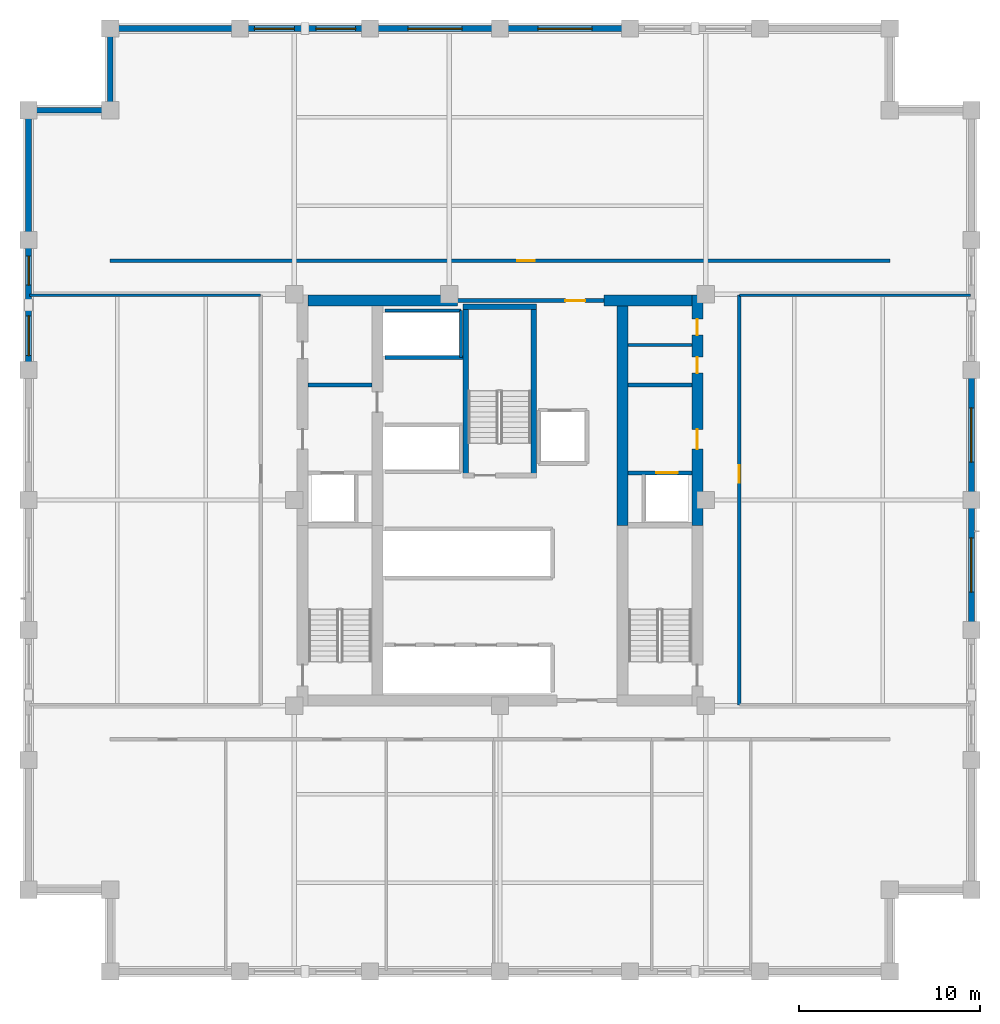
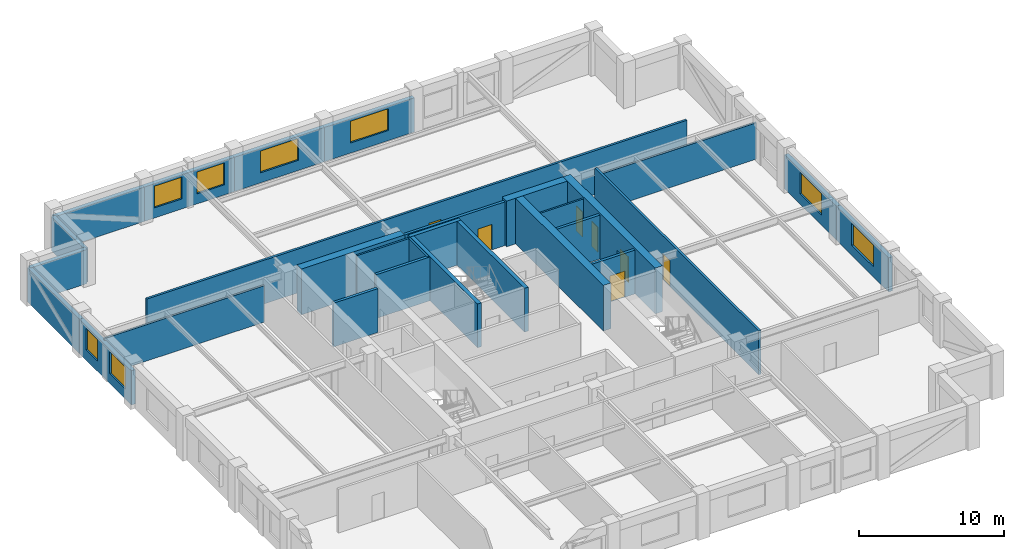
# One storey, part 7 of 9: 29 walls, 8 windows, 7 doors, 15 openings.
"""IFC4 building model written with IfcOpenShell, lengths in metres."""

from ifc_helpers import new_model, si_unit, direction, frame, frame_2d, origin, place, context, subcontext, project, spatial, rectangle, extrude, material, layer, layer_set, type_object, element, fill, save


model = new_model("IFC4")

# Units and contexts
model_context = context("Model", 3, precision=1e-05, world=origin(), true_north=direction((0.0, 1.0)))
body_context = subcontext(model_context, "Body", "Model", "MODEL_VIEW")
ifc_project = project(units=[si_unit("LENGTHUNIT", "METRE"), si_unit("AREAUNIT", "SQUARE_METRE"), si_unit("VOLUMEUNIT", "CUBIC_METRE"), si_unit("PLANEANGLEUNIT", "RADIAN"), si_unit("MASSUNIT", "GRAM", prefix="KILO")], contexts=[model_context])

# Site, building, storey
site_placement = place(None, origin())
site = spatial("IfcSite", under=ifc_project, at=site_placement, CompositionType="ELEMENT")
building_placement = place(site_placement, origin())
building = spatial("IfcBuilding", under=site, at=building_placement, Name="Nhamokura Convention Tower", CompositionType="ELEMENT")
storey_placement = place(building_placement, frame((0.0, 0.0, 156.800048828125)))
storey = spatial("IfcBuildingStorey", under=building, at=storey_placement, Name="L38", CompositionType="ELEMENT", Elevation=156.800048828125)

# Walls
ifc_material_1 = material(Name="Moisture-resistant tile-backer partition", Category="masonry")
ifc_layer_1 = layer(ifc_material_1, 0.139892578125)
ifc_layer_set_1 = layer_set([ifc_layer_1], Name="BathroomWetWall_140")
wall_type_1 = type_object("IfcWallType", Name="BathroomWetWall_140", PredefinedType="STANDARD", material=ifc_layer_set_1)
wall_1_placement = place(storey_placement, frame((39.06005859375, 40.550048828125, 0.0), z_axis=(0.0, 0.0, 1.0), x_axis=(1.0, 0.0, 0.0)))
element("IfcWall", 1, at=wall_1_placement, inside=storey, type_object=wall_type_1, Name="L38 Wall INT-L38-CWNE", PredefinedType="STANDARD", context=body_context, shape_type="SweptSolid", body=[
    extrude(rectangle(XDim=3.530029296875, YDim=0.139892578125, at=frame_2d((1.76513671875, 0.0))), origin(), (0.0, 0.0, 1.0), 3.68505859375),
])
ifc_material_2 = material(Name="Bronze-pigmented precast concrete C45/55", Category="concrete")
ifc_layer_2 = layer(ifc_material_2, 0.320068359375)
ifc_layer_set_2 = layer_set([ifc_layer_2], Name="BronzePrecastSpandrel_320")
wall_type_2 = type_object("IfcWallType", Name="BronzePrecastSpandrel_320", PredefinedType="USERDEFINED", material=ifc_layer_set_2)
wall_2_placement = place(storey_placement, frame((10.5, 58.0, 0.0), z_axis=(0.0, 0.0, 1.0), x_axis=(1.0, 0.0, 0.0)))
element("IfcWall", 2, at=wall_2_placement, inside=storey, type_object=wall_type_2, Name="L38 Braced-Bay Precast Wall NORTH 0", ObjectType="SPANDREL_WALL", PredefinedType="USERDEFINED", context=body_context, shape_type="SweptSolid", body=[
    extrude(rectangle(XDim=7.166748046875, YDim=0.320068359375, at=frame_2d((3.58349609375, 0.0))), origin(), (0.0, 0.0, 1.0), 2.885009765625),
])

# Wall, openings, windows
wall_3_placement = place(storey_placement, frame((17.666748046875, 58.0, 0.0), z_axis=(0.0, 0.0, 1.0), x_axis=(1.0, 0.0, 0.0)))
wall_3 = element("IfcWall", 3, at=wall_3_placement, inside=storey, type_object=wall_type_2, Name="L38 Masonry-Frame Wall NORTH 1", ObjectType="SPANDREL_WALL", PredefinedType="USERDEFINED", context=body_context, shape_type="SweptSolid", body=[
    extrude(rectangle(XDim=7.16650390625, YDim=0.320068359375, at=frame_2d((3.583251953125, 0.0))), origin(), (0.0, 0.0, 1.0), 2.885009765625),
])
opening_1_placement = place(wall_3_placement, frame((0.791748046875, 0.0, 0.85009765625)))
opening_1 = element("IfcOpeningElement", 4, at=opening_1_placement, cuts=wall_3, Name="Opening W-06", PredefinedType="OPENING", context=body_context, shape_type="SweptSolid", body=[
    extrude(rectangle(XDim=2.199951171875, YDim=1.8349609375, at=frame_2d((1.10009765625, 0.91748046875))), frame((0.0, 0.169921875, 0.0), z_axis=(0.0, -1.0, 0.0), x_axis=(1.0, 0.0, 0.0)), (0.0, 0.0, 1.0), 0.340087890625),
])
opening_2_placement = place(wall_3_placement, frame((4.175048828125, 0.0, 0.85009765625)))
opening_2 = element("IfcOpeningElement", 5, at=opening_2_placement, cuts=wall_3, Name="Opening W-06", PredefinedType="OPENING", context=body_context, shape_type="SweptSolid", body=[
    extrude(rectangle(XDim=2.199951171875, YDim=1.8349609375, at=frame_2d((1.10009765625, 0.91748046875))), frame((0.0, 0.169921875, 0.0), z_axis=(0.0, -1.0, 0.0), x_axis=(1.0, 0.0, 0.0)), (0.0, 0.0, 1.0), 0.340087890625),
])
ifc_material_3 = material(Name="Solar-control bronze low-E double glass", Category="glass")
window_type_1 = type_object("IfcWindowType", Name="OfficeModuleWindow_Z2_2200", PartitioningType="SINGLE_PANEL", PredefinedType="WINDOW", material=ifc_material_3)
window_1_placement = place(opening_1_placement, origin())
window_1 = element("IfcWindow", 6, at=window_1_placement, inside=storey, type_object=window_type_1, Name="L38 Facade Window NORTH 1-1", OverallHeight=1.8349609375, OverallWidth=2.199951171875, PartitioningType="SINGLE_PANEL", PredefinedType="WINDOW", context=body_context, shape_type="SweptSolid", body=[
    extrude(rectangle(XDim=2.199951171875, YDim=1.8349609375, at=frame_2d((1.10009765625, 0.91748046875))), frame((0.0, 0.030029296875, 0.0), z_axis=(0.0, -1.0, 0.0), x_axis=(1.0, 0.0, 0.0)), (0.0, 0.0, 1.0), 0.06005859375),
])
fill(opening_1, window_1)
window_2_placement = place(opening_2_placement, origin())
window_2 = element("IfcWindow", 7, at=window_2_placement, inside=storey, type_object=window_type_1, Name="L38 Facade Window NORTH 1-2", OverallHeight=1.8349609375, OverallWidth=2.199951171875, PartitioningType="SINGLE_PANEL", PredefinedType="WINDOW", context=body_context, shape_type="SweptSolid", body=[
    extrude(rectangle(XDim=2.199951171875, YDim=1.8349609375, at=frame_2d((1.10009765625, 0.91748046875))), frame((0.0, 0.030029296875, 0.0), z_axis=(0.0, -1.0, 0.0), x_axis=(1.0, 0.0, 0.0)), (0.0, 0.0, 1.0), 0.06005859375),
])
fill(opening_2, window_2)

# Wall, opening, window
wall_4_placement = place(storey_placement, frame((24.833251953125, 58.0, 0.0), z_axis=(0.0, 0.0, 1.0), x_axis=(1.0, 0.0, 0.0)))
wall_4 = element("IfcWall", 8, at=wall_4_placement, inside=storey, type_object=wall_type_2, Name="L38 Masonry-Frame Wall NORTH 2", ObjectType="SPANDREL_WALL", PredefinedType="USERDEFINED", context=body_context, shape_type="SweptSolid", body=[
    extrude(rectangle(XDim=7.166748046875, YDim=0.320068359375, at=frame_2d((3.58349609375, 0.0))), origin(), (0.0, 0.0, 1.0), 2.885009765625),
])
opening_3_placement = place(wall_4_placement, frame((2.083251953125, 0.0, 0.85009765625)))
opening_3 = element("IfcOpeningElement", 9, at=opening_3_placement, cuts=wall_4, Name="Opening W-05", PredefinedType="OPENING", context=body_context, shape_type="SweptSolid", body=[
    extrude(rectangle(XDim=3.0, YDim=1.8349609375, at=frame_2d((1.5, 0.91748046875))), frame((0.0, 0.169921875, 0.0), z_axis=(0.0, -1.0, 0.0), x_axis=(1.0, 0.0, 0.0)), (0.0, 0.0, 1.0), 0.340087890625),
])
ifc_material_4 = material(Name="Solar-control bronze low-E double glass", Category="glass")
window_type_2 = type_object("IfcWindowType", Name="OfficeModuleWindow_Z2_3000", PartitioningType="DOUBLE_PANEL_VERTICAL", PredefinedType="WINDOW", material=ifc_material_4)
window_3_placement = place(opening_3_placement, origin())
window_3 = element("IfcWindow", 10, at=window_3_placement, inside=storey, type_object=window_type_2, Name="L38 Facade Window NORTH 2", OverallHeight=1.8349609375, OverallWidth=3.0, PartitioningType="SINGLE_PANEL", PredefinedType="WINDOW", context=body_context, shape_type="SweptSolid", body=[
    extrude(rectangle(XDim=3.0, YDim=1.8349609375, at=frame_2d((1.5, 0.91748046875))), frame((0.0, 0.030029296875, 0.0), z_axis=(0.0, -1.0, 0.0), x_axis=(1.0, 0.0, 0.0)), (0.0, 0.0, 1.0), 0.06005859375),
])
fill(opening_3, window_3)

wall_5_placement = place(storey_placement, frame((32.0, 58.0, 0.0), z_axis=(0.0, 0.0, 1.0), x_axis=(1.0, 0.0, 0.0)))
wall_5 = element("IfcWall", 11, at=wall_5_placement, inside=storey, type_object=wall_type_2, Name="L38 Masonry-Frame Wall NORTH 3", ObjectType="SPANDREL_WALL", PredefinedType="USERDEFINED", context=body_context, shape_type="SweptSolid", body=[
    extrude(rectangle(XDim=7.166748046875, YDim=0.320068359375, at=frame_2d((3.58349609375, 0.0))), origin(), (0.0, 0.0, 1.0), 2.885009765625),
])
opening_4_placement = place(wall_5_placement, frame((2.083251953125, 0.0, 0.85009765625)))
opening_4 = element("IfcOpeningElement", 12, at=opening_4_placement, cuts=wall_5, Name="Opening W-05", PredefinedType="OPENING", context=body_context, shape_type="SweptSolid", body=[
    extrude(rectangle(XDim=3.0, YDim=1.8349609375, at=frame_2d((1.5, 0.91748046875))), frame((0.0, 0.169921875, 0.0), z_axis=(0.0, -1.0, 0.0), x_axis=(1.0, 0.0, 0.0)), (0.0, 0.0, 1.0), 0.340087890625),
])
window_4_placement = place(opening_4_placement, origin())
window_4 = element("IfcWindow", 13, at=window_4_placement, inside=storey, type_object=window_type_2, Name="L38 Facade Window NORTH 3", OverallHeight=1.8349609375, OverallWidth=3.0, PartitioningType="SINGLE_PANEL", PredefinedType="WINDOW", context=body_context, shape_type="SweptSolid", body=[
    extrude(rectangle(XDim=3.0, YDim=1.8349609375, at=frame_2d((1.5, 0.91748046875))), frame((0.0, 0.030029296875, 0.0), z_axis=(0.0, -1.0, 0.0), x_axis=(1.0, 0.0, 0.0)), (0.0, 0.0, 1.0), 0.06005859375),
])
fill(opening_4, window_4)

# Wall, openings, windows
wall_6_placement = place(storey_placement, frame((6.0, 39.166748046875, 0.0), z_axis=(0.0, 0.0, 1.0), x_axis=(0.0, 1.0, 0.0)))
wall_6 = element("IfcWall", 14, at=wall_6_placement, inside=storey, type_object=wall_type_2, Name="L38 Masonry-Frame Wall WEST 4", ObjectType="SPANDREL_WALL", PredefinedType="USERDEFINED", context=body_context, shape_type="SweptSolid", body=[
    extrude(rectangle(XDim=7.16650390625, YDim=0.320068359375, at=frame_2d((3.583251953125, 0.0))), origin(), (0.0, 0.0, 1.0), 2.885009765625),
])
opening_5_placement = place(wall_6_placement, frame((0.791748046875, 0.0, 0.85009765625)))
opening_5 = element("IfcOpeningElement", 15, at=opening_5_placement, cuts=wall_6, Name="Opening W-06", PredefinedType="OPENING", context=body_context, shape_type="SweptSolid", body=[
    extrude(rectangle(XDim=2.199951171875, YDim=1.8349609375, at=frame_2d((1.10009765625, 0.91748046875))), frame((0.0, 0.169921875, 0.0), z_axis=(0.0, -1.0, 0.0), x_axis=(1.0, 0.0, 0.0)), (0.0, 0.0, 1.0), 0.340087890625),
])
opening_6_placement = place(wall_6_placement, frame((4.6875, 0.0, 0.85009765625)))
opening_6 = element("IfcOpeningElement", 16, at=opening_6_placement, cuts=wall_6, Name="Opening W-11", PredefinedType="OPENING", context=body_context, shape_type="SweptSolid", body=[
    extrude(rectangle(XDim=1.60009765625, YDim=1.8349609375, at=frame_2d((0.800048828125, 0.91748046875))), frame((0.0, 0.169921875, 0.0), z_axis=(0.0, -1.0, 0.0), x_axis=(1.0, 0.0, 0.0)), (0.0, 0.0, 1.0), 0.340087890625),
])
ifc_material_5 = material(Name="Solar-control bronze low-E double glass", Category="glass")
window_type_3 = type_object("IfcWindowType", Name="NotchCornerWindow_1600", PartitioningType="SINGLE_PANEL", PredefinedType="WINDOW", material=ifc_material_5)
window_5_placement = place(opening_6_placement, origin())
window_5 = element("IfcWindow", 17, at=window_5_placement, inside=storey, type_object=window_type_3, Name="L38 Facade Window WEST 4-2", OverallHeight=1.8349609375, OverallWidth=1.60009765625, PartitioningType="SINGLE_PANEL", PredefinedType="WINDOW", context=body_context, shape_type="SweptSolid", body=[
    extrude(rectangle(XDim=1.60009765625, YDim=1.8349609375, at=frame_2d((0.800048828125, 0.91748046875))), frame((0.0, 0.030029296875, 0.0), z_axis=(0.0, -1.0, 0.0), x_axis=(1.0, 0.0, 0.0)), (0.0, 0.0, 1.0), 0.06005859375),
])
fill(opening_6, window_5)
window_6_placement = place(opening_5_placement, origin())
window_6 = element("IfcWindow", 18, at=window_6_placement, inside=storey, type_object=window_type_1, Name="L38 Facade Window WEST 4-1", OverallHeight=1.8349609375, OverallWidth=2.199951171875, PartitioningType="SINGLE_PANEL", PredefinedType="WINDOW", context=body_context, shape_type="SweptSolid", body=[
    extrude(rectangle(XDim=2.199951171875, YDim=1.8349609375, at=frame_2d((1.10009765625, 0.91748046875))), frame((0.0, 0.030029296875, 0.0), z_axis=(0.0, -1.0, 0.0), x_axis=(1.0, 0.0, 0.0)), (0.0, 0.0, 1.0), 0.06005859375),
])
fill(opening_5, window_6)

# Wall
wall_7_placement = place(storey_placement, frame((6.0, 46.333251953125, 0.0), z_axis=(0.0, 0.0, 1.0), x_axis=(0.0, 1.0, 0.0)))
element("IfcWall", 19, at=wall_7_placement, inside=storey, type_object=wall_type_2, Name="L38 Braced-Bay Precast Wall WEST 5", ObjectType="SPANDREL_WALL", PredefinedType="USERDEFINED", context=body_context, shape_type="SweptSolid", body=[
    extrude(rectangle(XDim=7.166748046875, YDim=0.320068359375, at=frame_2d((3.58349609375, 0.0))), origin(), (0.0, 0.0, 1.0), 2.885009765625),
])

# Wall, opening, window
wall_8_placement = place(storey_placement, frame((58.0, 32.0, 0.0), z_axis=(0.0, 0.0, 1.0), x_axis=(0.0, -1.0, 0.0)))
wall_8 = element("IfcWall", 20, at=wall_8_placement, inside=storey, type_object=wall_type_2, Name="L38 Masonry-Frame Wall EAST 2", ObjectType="SPANDREL_WALL", PredefinedType="USERDEFINED", context=body_context, shape_type="SweptSolid", body=[
    extrude(rectangle(XDim=7.166748046875, YDim=0.320068359375, at=frame_2d((3.58349609375, 0.0))), origin(), (0.0, 0.0, 1.0), 2.885009765625),
])
opening_7_placement = place(wall_8_placement, frame((2.083251953125, 0.0, 0.85009765625)))
opening_7 = element("IfcOpeningElement", 21, at=opening_7_placement, cuts=wall_8, Name="Opening W-05", PredefinedType="OPENING", context=body_context, shape_type="SweptSolid", body=[
    extrude(rectangle(XDim=3.0, YDim=1.8349609375, at=frame_2d((1.5, 0.91748046875))), frame((0.0, 0.169921875, 0.0), z_axis=(0.0, -1.0, 0.0), x_axis=(1.0, 0.0, 0.0)), (0.0, 0.0, 1.0), 0.340087890625),
])
window_7_placement = place(opening_7_placement, origin())
window_7 = element("IfcWindow", 22, at=window_7_placement, inside=storey, type_object=window_type_2, Name="L38 Facade Window EAST 2", OverallHeight=1.8349609375, OverallWidth=3.0, PartitioningType="SINGLE_PANEL", PredefinedType="WINDOW", context=body_context, shape_type="SweptSolid", body=[
    extrude(rectangle(XDim=3.0, YDim=1.8349609375, at=frame_2d((1.5, 0.91748046875))), frame((0.0, 0.030029296875, 0.0), z_axis=(0.0, -1.0, 0.0), x_axis=(1.0, 0.0, 0.0)), (0.0, 0.0, 1.0), 0.06005859375),
])
fill(opening_7, window_7)

wall_9_placement = place(storey_placement, frame((58.0, 39.166748046875, 0.0), z_axis=(0.0, 0.0, 1.0), x_axis=(0.0, -1.0, 0.0)))
wall_9 = element("IfcWall", 23, at=wall_9_placement, inside=storey, type_object=wall_type_2, Name="L38 Masonry-Frame Wall EAST 3", ObjectType="SPANDREL_WALL", PredefinedType="USERDEFINED", context=body_context, shape_type="SweptSolid", body=[
    extrude(rectangle(XDim=7.166748046875, YDim=0.320068359375, at=frame_2d((3.58349609375, 0.0))), origin(), (0.0, 0.0, 1.0), 2.885009765625),
])
opening_8_placement = place(wall_9_placement, frame((2.083251953125, 0.0, 0.85009765625)))
opening_8 = element("IfcOpeningElement", 24, at=opening_8_placement, cuts=wall_9, Name="Opening W-05", PredefinedType="OPENING", context=body_context, shape_type="SweptSolid", body=[
    extrude(rectangle(XDim=3.0, YDim=1.8349609375, at=frame_2d((1.5, 0.91748046875))), frame((0.0, 0.169921875, 0.0), z_axis=(0.0, -1.0, 0.0), x_axis=(1.0, 0.0, 0.0)), (0.0, 0.0, 1.0), 0.340087890625),
])
window_8_placement = place(opening_8_placement, origin())
window_8 = element("IfcWindow", 25, at=window_8_placement, inside=storey, type_object=window_type_2, Name="L38 Facade Window EAST 3", OverallHeight=1.8349609375, OverallWidth=3.0, PartitioningType="SINGLE_PANEL", PredefinedType="WINDOW", context=body_context, shape_type="SweptSolid", body=[
    extrude(rectangle(XDim=3.0, YDim=1.8349609375, at=frame_2d((1.5, 0.91748046875))), frame((0.0, 0.030029296875, 0.0), z_axis=(0.0, -1.0, 0.0), x_axis=(1.0, 0.0, 0.0)), (0.0, 0.0, 1.0), 0.06005859375),
])
fill(opening_8, window_8)

# Walls
for number, where, z_axis, x_axis, name in (
    (26, (10.5, 53.5, 0.0), (0.0, 0.0, 1.0), (0.0, 1.0, 0.0), "L38 Notched Corner Wall NW1"),
    (27, (6.0, 53.5, 0.0), (0.0, 0.0, 1.0), (1.0, 0.0, 0.0), "L38 Notched Corner Wall NW2"),
):
    element("IfcWall", number, at=place(storey_placement, frame(where, z_axis=z_axis, x_axis=x_axis)), inside=storey, type_object=wall_type_2, Name=name, ObjectType="SPANDREL_WALL", PredefinedType="USERDEFINED", context=body_context, shape_type="SweptSolid", body=[
        extrude(rectangle(XDim=4.5, YDim=0.320068359375, at=frame_2d((2.25, 0.0))), origin(), (0.0, 0.0, 1.0), 2.885009765625),
    ])

# Wall, openings, doors
ifc_material_6 = material(Name="Concrete C60/75", Category="concrete")
ifc_layer_3 = layer(ifc_material_6, 0.60009765625)
ifc_layer_set_3 = layer_set([ifc_layer_3], Name="CoreShearWall_600")
wall_type_3 = type_object("IfcWallType", Name="CoreShearWall_600", PredefinedType="SHEAR", material=ifc_layer_set_3)
wall_10_placement = place(storey_placement, frame((42.889892578125, 30.60009765625, 0.0), z_axis=(0.0, 0.0, 1.0), x_axis=(0.0, 1.0, 0.0)))
wall_10 = element("IfcWall", 28, at=wall_10_placement, inside=storey, type_object=wall_type_3, Name="L38 Core Shear Wall CW-EN", PredefinedType="SHEAR", context=body_context, shape_type="SweptSolid", body=[
    extrude(rectangle(XDim=12.699951171875, YDim=0.60009765625, at=frame_2d((6.35009765625, 0.0))), origin(), (0.0, 0.0, 1.0), 3.849853515625),
])
opening_9_placement = place(wall_10_placement, frame((4.199951171875, 0.0, 0.0)))
opening_9 = element("IfcOpeningElement", 29, at=opening_9_placement, cuts=wall_10, Name="Opening D-05", PredefinedType="OPENING", context=body_context, shape_type="SweptSolid", body=[
    extrude(rectangle(XDim=1.10009765625, YDim=2.14990234375, at=frame_2d((0.550048828125, 1.074951171875))), frame((0.0, 0.31005859375, 0.0), z_axis=(0.0, -1.0, 0.0), x_axis=(1.0, 0.0, 0.0)), (0.0, 0.0, 1.0), 0.6201171875),
])
opening_10_placement = place(wall_10_placement, frame((8.39990234375, 0.0, 0.0)))
opening_10 = element("IfcOpeningElement", 30, at=opening_10_placement, cuts=wall_10, Name="Opening D-11", PredefinedType="OPENING", context=body_context, shape_type="SweptSolid", body=[
    extrude(rectangle(XDim=0.8798828125, YDim=2.10009765625, at=frame_2d((0.43994140625, 1.050048828125))), frame((0.0, 0.31005859375, 0.0), z_axis=(0.0, -1.0, 0.0), x_axis=(1.0, 0.0, 0.0)), (0.0, 0.0, 1.0), 0.6201171875),
])
opening_11_placement = place(wall_10_placement, frame((10.5, 0.0, 0.0)))
opening_11 = element("IfcOpeningElement", 31, at=opening_11_placement, cuts=wall_10, Name="Opening D-11", PredefinedType="OPENING", context=body_context, shape_type="SweptSolid", body=[
    extrude(rectangle(XDim=0.8798828125, YDim=2.10009765625, at=frame_2d((0.43994140625, 1.050048828125))), frame((0.0, 0.31005859375, 0.0), z_axis=(0.0, -1.0, 0.0), x_axis=(1.0, 0.0, 0.0)), (0.0, 0.0, 1.0), 0.6201171875),
])
ifc_material_7 = material(Name="Solid oak hardwood", Category="wood")
door_type_1 = type_object("IfcDoorType", Name="BathroomDoor_880", OperationType="NOTDEFINED", PredefinedType="DOOR", material=ifc_material_7)
door_1_placement = place(opening_10_placement, origin())
door_1 = element("IfcDoor", 32, at=door_1_placement, inside=storey, type_object=door_type_1, Name="L38 Core Door INT-L38-D-MWC", OperationType="SINGLE_SWING_RIGHT", OverallHeight=2.10009765625, OverallWidth=0.8798828125, PredefinedType="DOOR", context=body_context, shape_type="SweptSolid", body=[
    extrude(rectangle(XDim=0.8798828125, YDim=2.10009765625, at=frame_2d((0.43994140625, 1.050048828125))), frame((0.0, 0.02490234375, 0.0), z_axis=(0.0, -1.0, 0.0), x_axis=(1.0, 0.0, 0.0)), (0.0, 0.0, 1.0), 0.050048828125),
])
fill(opening_10, door_1)
door_2_placement = place(opening_11_placement, origin())
door_2 = element("IfcDoor", 33, at=door_2_placement, inside=storey, type_object=door_type_1, Name="L38 Core Door INT-L38-D-FWC", OperationType="SINGLE_SWING_LEFT", OverallHeight=2.10009765625, OverallWidth=0.8798828125, PredefinedType="DOOR", context=body_context, shape_type="SweptSolid", body=[
    extrude(rectangle(XDim=0.8798828125, YDim=2.10009765625, at=frame_2d((0.43994140625, 1.050048828125))), frame((0.0, 0.02490234375, 0.0), z_axis=(0.0, -1.0, 0.0), x_axis=(1.0, 0.0, 0.0)), (0.0, 0.0, 1.0), 0.050048828125),
])
fill(opening_11, door_2)
ifc_material_8 = material(Name="Fire-rated steel door", Category="steel")
door_type_2 = type_object("IfcDoorType", Name="FireLobbyDoor_1100", OperationType="NOTDEFINED", PredefinedType="DOOR", material=ifc_material_8)
door_3_placement = place(opening_9_placement, origin())
door_3 = element("IfcDoor", 34, at=door_3_placement, inside=storey, type_object=door_type_2, Name="L38 Core Door INT-L38-D-FFLE", OperationType="SINGLE_SWING_LEFT", OverallHeight=2.14990234375, OverallWidth=1.10009765625, PredefinedType="DOOR", context=body_context, shape_type="SweptSolid", body=[
    extrude(rectangle(XDim=1.10009765625, YDim=2.14990234375, at=frame_2d((0.550048828125, 1.074951171875))), frame((0.0, 0.02490234375, 0.0), z_axis=(0.0, -1.0, 0.0), x_axis=(1.0, 0.0, 0.0)), (0.0, 0.0, 1.0), 0.050048828125),
])
fill(opening_9, door_3)

# Walls
wall_11_placement = place(storey_placement, frame((21.409912109375, 43.0, 0.0), z_axis=(0.0, 0.0, 1.0), x_axis=(1.0, 0.0, 0.0)))
element("IfcWall", 35, at=wall_11_placement, inside=storey, type_object=wall_type_3, Name="L38 Core Shear Wall CW-N1", PredefinedType="SHEAR", context=body_context, shape_type="SweptSolid", body=[
    extrude(rectangle(XDim=8.239990234375, YDim=0.60009765625, at=frame_2d((4.1201171875, 0.0))), origin(), (0.0, 0.0, 1.0), 3.849853515625),
])
wall_12_placement = place(storey_placement, frame((37.75, 43.0, 0.0), z_axis=(0.0, 0.0, 1.0), x_axis=(1.0, 0.0, 0.0)))
element("IfcWall", 36, at=wall_12_placement, inside=storey, type_object=wall_type_3, Name="L38 Core Shear Wall CW-N2", PredefinedType="SHEAR", context=body_context, shape_type="SweptSolid", body=[
    extrude(rectangle(XDim=4.840087890625, YDim=0.60009765625, at=frame_2d((2.419921875, 0.0))), origin(), (0.0, 0.0, 1.0), 3.849853515625),
])
wall_13_placement = place(storey_placement, frame((38.760009765625, 30.60009765625, 0.0), z_axis=(0.0, 0.0, 1.0), x_axis=(0.0, 1.0, 0.0)))
element("IfcWall", 37, at=wall_13_placement, inside=storey, type_object=wall_type_3, Name="L38 Core Shear Wall CW-IEN", PredefinedType="SHEAR", context=body_context, shape_type="SweptSolid", body=[
    extrude(rectangle(XDim=12.099853515625, YDim=0.60009765625, at=frame_2d((6.0498046875, 0.0))), origin(), (0.0, 0.0, 1.0), 3.849853515625),
])

# Wall, opening, door
ifc_material_9 = material(Name="Fire-rated gypsum and masonry partition", Category="masonry")
ifc_layer_4 = layer(ifc_material_9, 0.179931640625)
ifc_layer_set_4 = layer_set([ifc_layer_4], Name="CorridorRatedWall_180")
wall_type_4 = type_object("IfcWallType", Name="CorridorRatedWall_180", PredefinedType="STANDARD", material=ifc_layer_set_4)
wall_14_placement = place(storey_placement, frame((10.5, 45.199951171875, 0.0), z_axis=(0.0, 0.0, 1.0), x_axis=(1.0, 0.0, 0.0)))
wall_14 = element("IfcWall", 38, at=wall_14_placement, inside=storey, type_object=wall_type_4, Name="L38 Wall INT-L38-CW-N00", PredefinedType="STANDARD", context=body_context, shape_type="SweptSolid", body=[
    extrude(rectangle(XDim=43.0, YDim=0.179931640625, at=frame_2d((21.5, 0.0))), origin(), (0.0, 0.0, 1.0), 3.68505859375),
])
opening_12_placement = place(wall_14_placement, frame((22.449951171875, 0.0, 0.0)))
opening_12 = element("IfcOpeningElement", 39, at=opening_12_placement, cuts=wall_14, Name="Opening D-08", PredefinedType="OPENING", context=body_context, shape_type="SweptSolid", body=[
    extrude(rectangle(XDim=0.97998046875, YDim=2.199951171875, at=frame_2d((0.489990234375, 1.10009765625))), frame((0.0, 0.099853515625, 0.0), z_axis=(0.0, -1.0, 0.0), x_axis=(1.0, 0.0, 0.0)), (0.0, 0.0, 1.0), 0.199951171875),
])
ifc_material_10 = material(Name="Solid oak hardwood", Category="wood")
door_type_3 = type_object("IfcDoorType", Name="OfficeEntryDoor_980", OperationType="NOTDEFINED", PredefinedType="DOOR", material=ifc_material_10)
door_4_placement = place(opening_12_placement, origin())
door_4 = element("IfcDoor", 40, at=door_4_placement, inside=storey, type_object=door_type_3, Name="L38 Press Briefing Hall N01 Door", OperationType="SINGLE_SWING_LEFT", OverallHeight=2.199951171875, OverallWidth=0.97998046875, PredefinedType="DOOR", context=body_context, shape_type="SweptSolid", body=[
    extrude(rectangle(XDim=0.97998046875, YDim=2.199951171875, at=frame_2d((0.489990234375, 1.10009765625))), frame((0.0, 0.02490234375, 0.0), z_axis=(0.0, -1.0, 0.0), x_axis=(1.0, 0.0, 0.0)), (0.0, 0.0, 1.0), 0.050048828125),
])
fill(opening_12, door_4)

wall_15_placement = place(storey_placement, frame((45.199951171875, 20.699951171875, 0.0), z_axis=(0.0, 0.0, 1.0), x_axis=(0.0, 1.0, 0.0)))
wall_15 = element("IfcWall", 41, at=wall_15_placement, inside=storey, type_object=wall_type_4, Name="L38 Wall INT-L38-CW-E00", PredefinedType="STANDARD", context=body_context, shape_type="SweptSolid", body=[
    extrude(rectangle(XDim=22.60009765625, YDim=0.179931640625, at=frame_2d((11.300048828125, 0.0))), origin(), (0.0, 0.0, 1.0), 3.68505859375),
])
opening_13_placement = place(wall_15_placement, frame((12.25, 0.0, 0.0)))
opening_13 = element("IfcOpeningElement", 42, at=opening_13_placement, cuts=wall_15, Name="Opening D-08", PredefinedType="OPENING", context=body_context, shape_type="SweptSolid", body=[
    extrude(rectangle(XDim=0.97998046875, YDim=2.199951171875, at=frame_2d((0.489990234375, 1.10009765625))), frame((0.0, 0.099853515625, 0.0), z_axis=(0.0, -1.0, 0.0), x_axis=(1.0, 0.0, 0.0)), (0.0, 0.0, 1.0), 0.199951171875),
])
door_5_placement = place(opening_13_placement, origin())
door_5 = element("IfcDoor", 43, at=door_5_placement, inside=storey, type_object=door_type_3, Name="L38 Meeting Room E01 Door", OperationType="SINGLE_SWING_LEFT", OverallHeight=2.199951171875, OverallWidth=0.97998046875, PredefinedType="DOOR", context=body_context, shape_type="SweptSolid", body=[
    extrude(rectangle(XDim=0.97998046875, YDim=2.199951171875, at=frame_2d((0.489990234375, 1.10009765625))), frame((0.0, 0.02490234375, 0.0), z_axis=(0.0, -1.0, 0.0), x_axis=(1.0, 0.0, 0.0)), (0.0, 0.0, 1.0), 0.050048828125),
])
fill(opening_13, door_5)

ifc_material_11 = material(Name="Autoclaved concrete blockwork", Category="masonry")
ifc_layer_5 = layer(ifc_material_11, 0.219970703125)
ifc_layer_set_5 = layer_set([ifc_layer_5], Name="FireLobbyWall_220")
wall_type_5 = type_object("IfcWallType", Name="FireLobbyWall_220", PredefinedType="STANDARD", material=ifc_layer_set_5)
wall_16_placement = place(storey_placement, frame((39.06005859375, 33.5, 0.0), z_axis=(0.0, 0.0, 1.0), x_axis=(1.0, 0.0, 0.0)))
wall_16 = element("IfcWall", 44, at=wall_16_placement, inside=storey, type_object=wall_type_5, Name="L38 Wall INT-L38-FFE-S", PredefinedType="STANDARD", context=body_context, shape_type="SweptSolid", body=[
    extrude(rectangle(XDim=3.530029296875, YDim=0.219970703125, at=frame_2d((1.76513671875, 0.0))), origin(), (0.0, 0.0, 1.0), 3.68505859375),
])
opening_14_placement = place(wall_16_placement, frame((1.550048828125, 0.0, 0.0)))
opening_14 = element("IfcOpeningElement", 45, at=opening_14_placement, cuts=wall_16, Name="Opening LD-02", PredefinedType="OPENING", context=body_context, shape_type="SweptSolid", body=[
    extrude(rectangle(XDim=1.199951171875, YDim=2.199951171875, at=frame_2d((0.60009765625, 1.10009765625))), frame((0.0, 0.119873046875, 0.0), z_axis=(0.0, -1.0, 0.0), x_axis=(1.0, 0.0, 0.0)), (0.0, 0.0, 1.0), 0.239990234375),
])
ifc_material_12 = material(Name="Anodised bronze stainless steel", Category="steel")
door_type_4 = type_object("IfcDoorType", Name="LiftLandingDoor_FireService", OperationType="DOUBLE_DOOR_SLIDING", PredefinedType="DOOR", material=ifc_material_12)
door_6_placement = place(opening_14_placement, origin())
door_6 = element("IfcDoor", 46, at=door_6_placement, inside=storey, type_object=door_type_4, Name="L38 Firefighting Lift LF-02 Door", OperationType="DOUBLE_DOOR_SLIDING", OverallHeight=2.199951171875, OverallWidth=1.199951171875, PredefinedType="DOOR", context=body_context, shape_type="SweptSolid", body=[
    extrude(rectangle(XDim=1.199951171875, YDim=2.199951171875, at=frame_2d((0.60009765625, 1.10009765625))), frame((0.0, 0.02490234375, 0.0), z_axis=(0.0, -1.0, 0.0), x_axis=(1.0, 0.0, 0.0)), (0.0, 0.0, 1.0), 0.050048828125),
])
fill(opening_14, door_6)

# Walls
for number, where, z_axis, x_axis, name in (
    (47, (21.409912109375, 38.35009765625, 0.0), (0.0, 0.0, 1.0), (1.0, 0.0, 0.0), "L38 Wall INT-L38-FFW-N"),
    (48, (39.06005859375, 38.35009765625, 0.0), (0.0, 0.0, 1.0), (1.0, 0.0, 0.0), "L38 Wall INT-L38-FFE-N"),
):
    element("IfcWall", number, at=place(storey_placement, frame(where, z_axis=z_axis, x_axis=x_axis)), inside=storey, type_object=wall_type_5, Name=name, PredefinedType="STANDARD", context=body_context, shape_type="SweptSolid", body=[
        extrude(rectangle(XDim=3.530029296875, YDim=0.219970703125, at=frame_2d((1.76513671875, 0.0))), origin(), (0.0, 0.0, 1.0), 3.68505859375),
    ])
wall_17_placement = place(storey_placement, frame((25.64990234375, 39.85009765625, 0.0), z_axis=(0.0, 0.0, 1.0), x_axis=(1.0, 0.0, 0.0)))
element("IfcWall", 49, at=wall_17_placement, inside=storey, type_object=wall_type_5, Name="L38 Wall INT-L38-B3N", PredefinedType="STANDARD", context=body_context, shape_type="SweptSolid", body=[
    extrude(rectangle(XDim=4.300048828125, YDim=0.219970703125, at=frame_2d((2.14990234375, 0.0))), origin(), (0.0, 0.0, 1.0), 3.68505859375),
])

# Wall, opening, door
wall_18_placement = place(storey_placement, frame((29.64990234375, 43.0, 0.0), z_axis=(0.0, 0.0, 1.0), x_axis=(1.0, 0.0, 0.0)))
wall_18 = element("IfcWall", 50, at=wall_18_placement, inside=storey, type_object=wall_type_5, Name="L38 Wall INT-L38-CPORT-N", PredefinedType="STANDARD", context=body_context, shape_type="SweptSolid", body=[
    extrude(rectangle(XDim=8.10009765625, YDim=0.219970703125, at=frame_2d((4.050048828125, 0.0))), origin(), (0.0, 0.0, 1.0), 3.68505859375),
])
opening_15_placement = place(wall_18_placement, frame((5.949951171875, 0.0, 0.0)))
opening_15 = element("IfcOpeningElement", 51, at=opening_15_placement, cuts=wall_18, Name="Opening D-05", PredefinedType="OPENING", context=body_context, shape_type="SweptSolid", body=[
    extrude(rectangle(XDim=1.10009765625, YDim=2.14990234375, at=frame_2d((0.550048828125, 1.074951171875))), frame((0.0, 0.119873046875, 0.0), z_axis=(0.0, -1.0, 0.0), x_axis=(1.0, 0.0, 0.0)), (0.0, 0.0, 1.0), 0.239990234375),
])
door_7_placement = place(opening_15_placement, origin())
door_7 = element("IfcDoor", 52, at=door_7_placement, inside=storey, type_object=door_type_2, Name="L38 North Core Lobby Portal Door", OperationType="SINGLE_SWING_RIGHT", OverallHeight=2.14990234375, OverallWidth=1.10009765625, PredefinedType="DOOR", context=body_context, shape_type="SweptSolid", body=[
    extrude(rectangle(XDim=1.10009765625, YDim=2.14990234375, at=frame_2d((0.550048828125, 1.074951171875))), frame((0.0, 0.02490234375, 0.0), z_axis=(0.0, -1.0, 0.0), x_axis=(1.0, 0.0, 0.0)), (0.0, 0.0, 1.0), 0.050048828125),
])
fill(opening_15, door_7)

# Walls
ifc_material_13 = material(Name="Acoustic gypsum stud partition", Category="masonry")
ifc_layer_6 = layer(ifc_material_13, 0.14990234375)
ifc_layer_set_6 = layer_set([ifc_layer_6], Name="InteriorPartition_150")
wall_type_6 = type_object("IfcWallType", Name="InteriorPartition_150", PredefinedType="STANDARD", material=ifc_layer_set_6)
wall_19_placement = place(storey_placement, frame((25.64990234375, 42.449951171875, 0.0), z_axis=(0.0, 0.0, 1.0), x_axis=(1.0, 0.0, 0.0)))
element("IfcWall", 53, at=wall_19_placement, inside=storey, type_object=wall_type_6, Name="L38 Wall INT-L38-B3B-N", PredefinedType="STANDARD", context=body_context, shape_type="SweptSolid", body=[
    extrude(rectangle(XDim=4.2001953125, YDim=0.14990234375, at=frame_2d((2.10009765625, 0.0))), origin(), (0.0, 0.0, 1.0), 3.68505859375),
])
wall_20_placement = place(storey_placement, frame((29.85009765625, 39.85009765625, 0.0), z_axis=(0.0, 0.0, 1.0), x_axis=(0.0, 1.0, 0.0)))
element("IfcWall", 54, at=wall_20_placement, inside=storey, type_object=wall_type_6, Name="L38 Wall INT-L38-B3B-E", PredefinedType="STANDARD", context=body_context, shape_type="SweptSolid", body=[
    extrude(rectangle(XDim=2.599853515625, YDim=0.14990234375, at=frame_2d((1.2998046875, 0.0))), origin(), (0.0, 0.0, 1.0), 3.68505859375),
])
for number, where, z_axis, x_axis, name in (
    (55, (6.06005859375, 43.300048828125, 0.0), (0.0, 0.0, 1.0), (1.0, 0.0, 0.0), "L38 Wall INT-L38-RWT-W"),
    (56, (45.199951171875, 43.300048828125, 0.0), (0.0, 0.0, 1.0), (1.0, 0.0, 0.0), "L38 Wall INT-L38-RWT-E"),
):
    element("IfcWall", number, at=place(storey_placement, frame(where, z_axis=z_axis, x_axis=x_axis)), inside=storey, type_object=wall_type_6, Name=name, PredefinedType="STANDARD", context=body_context, shape_type="SweptSolid", body=[
        extrude(rectangle(XDim=12.739990234375, YDim=0.14990234375, at=frame_2d((6.3701171875, 0.0))), origin(), (0.0, 0.0, 1.0), 3.06494140625),
    ])
ifc_material_14 = material(Name="Concrete C50/60", Category="concrete")
ifc_layer_7 = layer(ifc_material_14, 0.300048828125)
ifc_layer_set_7 = layer_set([ifc_layer_7], Name="ShaftEnclosureWall_300")
wall_type_7 = type_object("IfcWallType", Name="ShaftEnclosureWall_300", PredefinedType="SHEAR", material=ifc_layer_set_7)
for number, where, z_axis, x_axis, name in (
    (57, (30.10009765625, 33.199951171875, 0.0), (0.0, 0.0, 1.0), (0.0, 1.0, 0.0), "L38 Wall INT-L38-ST03W"),
    (58, (33.85009765625, 33.199951171875, 0.0), (0.0, 0.0, 1.0), (0.0, 1.0, 0.0), "L38 Wall INT-L38-ST03E"),
):
    element("IfcWall", number, at=place(storey_placement, frame(where, z_axis=z_axis, x_axis=x_axis)), inside=storey, type_object=wall_type_7, Name=name, PredefinedType="SHEAR", context=body_context, shape_type="SweptSolid", body=[
        extrude(rectangle(XDim=9.60009765625, YDim=0.300048828125, at=frame_2d((4.800048828125, 0.0))), origin(), (0.0, 0.0, 1.0), 3.68505859375),
    ])
wall_21_placement = place(storey_placement, frame((29.949951171875, 42.64990234375, 0.0), z_axis=(0.0, 0.0, 1.0), x_axis=(1.0, 0.0, 0.0)))
element("IfcWall", 59, at=wall_21_placement, inside=storey, type_object=wall_type_7, Name="L38 Wall INT-L38-ST03N", PredefinedType="SHEAR", context=body_context, shape_type="SweptSolid", body=[
    extrude(rectangle(XDim=4.050048828125, YDim=0.300048828125, at=frame_2d((2.02490234375, 0.0))), origin(), (0.0, 0.0, 1.0), 3.68505859375),
])

save(model, "model.ifc")
